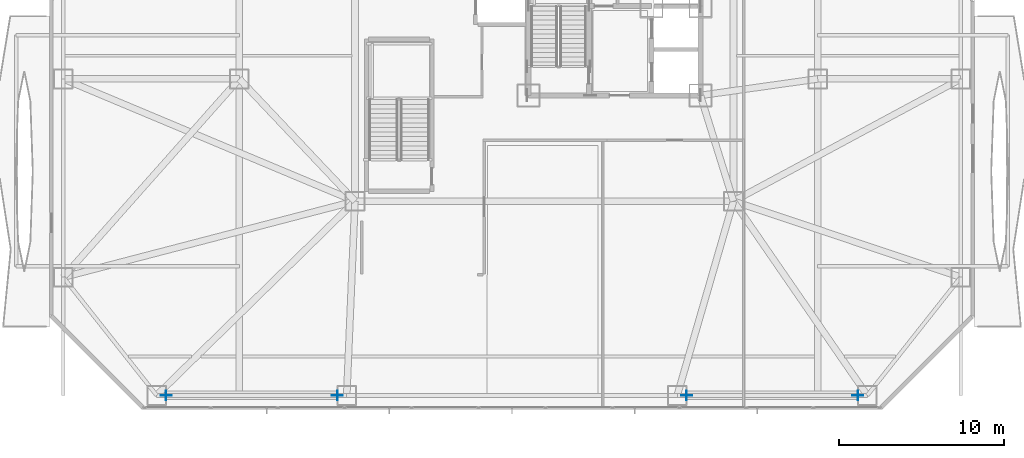
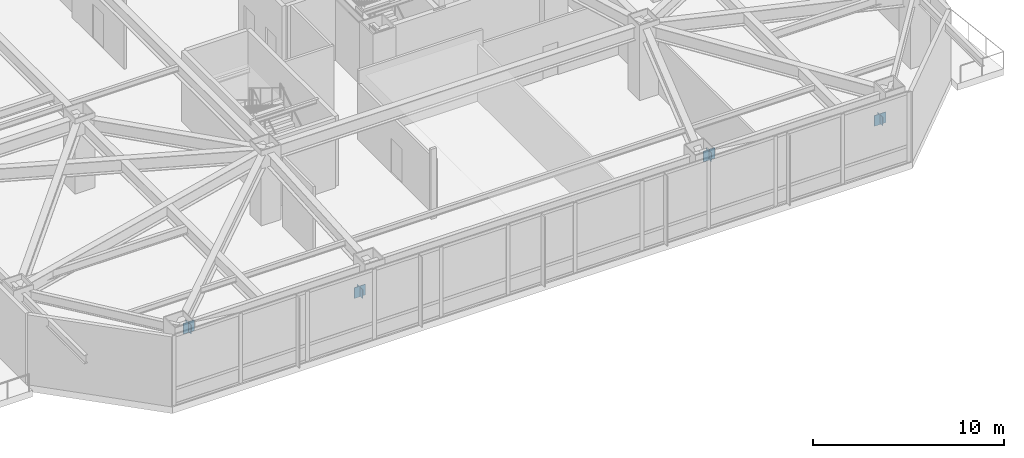
# One storey, part 21 of 33: 8 plates.
"""IFC4 building model written with IfcOpenShell, lengths in metres."""

from ifc_helpers import new_model, si_unit, direction, frame, origin, origin_2d, place, context, subcontext, project, spatial, rectangle, extrude, material, layer, layer_set, type_object, element, save


model = new_model("IFC4")

# Units and contexts
model_context = context("Model", 3, precision=1e-05, world=origin(), true_north=direction((0.0, 1.0)))
body_context = subcontext(model_context, "Body", "Model", "MODEL_VIEW")
ifc_project = project(units=[si_unit("LENGTHUNIT", "METRE"), si_unit("AREAUNIT", "SQUARE_METRE"), si_unit("VOLUMEUNIT", "CUBIC_METRE"), si_unit("PLANEANGLEUNIT", "RADIAN"), si_unit("MASSUNIT", "GRAM", prefix="KILO")], contexts=[model_context])

# Site, building, storey
site_placement = place(None, origin())
site = spatial("IfcSite", under=ifc_project, at=site_placement, CompositionType="ELEMENT")
building_placement = place(site_placement, origin())
building = spatial("IfcBuilding", under=site, at=building_placement, Name="Khamvora Tower", CompositionType="ELEMENT")
storey_placement = place(building_placement, frame((0.0, 0.0, 7.199951171875)))
storey = spatial("IfcBuildingStorey", under=building, at=storey_placement, Name="L01", CompositionType="ELEMENT", Elevation=7.199951171875)

# Plates
ifc_material_1 = material(Name="Steel S355", Category="steel")
ifc_layer_1 = layer(ifc_material_1, 0.02490234375)
ifc_layer_set_1 = layer_set([ifc_layer_1], Name="Steel S355")
plate_type_1 = type_object("IfcPlateType", Name="PL-CAP-25", PredefinedType="SHEET", material=ifc_layer_set_1)
for number, where, z_axis, x_axis, name in (
    (1, (17.43701171875, 0.85009765625, 2.46875), (0.0, 0.0, 1.0), (-1.0, 0.0, 0.0), "L01 hollow section steel end cap plate 0412"),
    (2, (7.06298828125, 0.85009765625, 3.81396484375), (0.0, 0.0, 1.0), (-1.0, 0.0, 0.0), "L01 hollow section steel end cap plate 0413"),
    (3, (48.93701171875, 0.85009765625, 2.46875), (0.0, 0.0, 1.0), (-1.0, 0.0, 0.0), "L01 hollow section steel end cap plate 0414"),
    (4, (38.56298828125, 0.85009765625, 3.81396484375), (0.0, 0.0, 1.0), (-1.0, 0.0, 0.0), "L01 hollow section steel end cap plate 0415"),
):
    element("IfcPlate", number, at=place(storey_placement, frame(where, z_axis=z_axis, x_axis=x_axis)), inside=storey, type_object=plate_type_1, Name=name, PredefinedType="SHEET", context=body_context, shape_type="SweptSolid", body=[
        extrude(rectangle(XDim=0.02490234375, YDim=0.568115234375, at=origin_2d()), origin(), (0.0, 0.0, 1.0), 0.568115234375),
    ])
ifc_material_2 = material(Name="Steel S460", Category="steel")
ifc_layer_2 = layer(ifc_material_2, 0.0400390625)
ifc_layer_set_2 = layer_set([ifc_layer_2], Name="Steel S460")
plate_type_2 = type_object("IfcPlateType", Name="PLT-GUS-40", PredefinedType="SHEET", material=ifc_layer_set_2)
for number, where, z_axis, x_axis, name in (
    (5, (17.425048828125, 0.85009765625, 2.4150390625), (0.0, 0.0, 1.0), (1.0, 0.0, 0.0), "L01 brace connection node gusset plate 0025"),
    (6, (7.074951171875, 0.85009765625, 3.755859375), (0.0, 0.0, 1.0), (1.0, 0.0, 0.0), "L01 brace connection node gusset plate 0026"),
    (7, (48.925048828125, 0.85009765625, 2.4150390625), (0.0, 0.0, 1.0), (1.0, 0.0, 0.0), "L01 brace connection node gusset plate 0027"),
    (8, (38.574951171875, 0.85009765625, 3.755859375), (0.0, 0.0, 1.0), (1.0, 0.0, 0.0), "L01 brace connection node gusset plate 0028"),
):
    element("IfcPlate", number, at=place(storey_placement, frame(where, z_axis=z_axis, x_axis=x_axis)), inside=storey, type_object=plate_type_2, Name=name, PredefinedType="SHEET", context=body_context, shape_type="SweptSolid", body=[
        extrude(rectangle(XDim=0.679931640625, YDim=0.0400390625, at=origin_2d()), origin(), (0.0, 0.0, 1.0), 0.679931640625),
    ])

save(model, "model.ifc")
